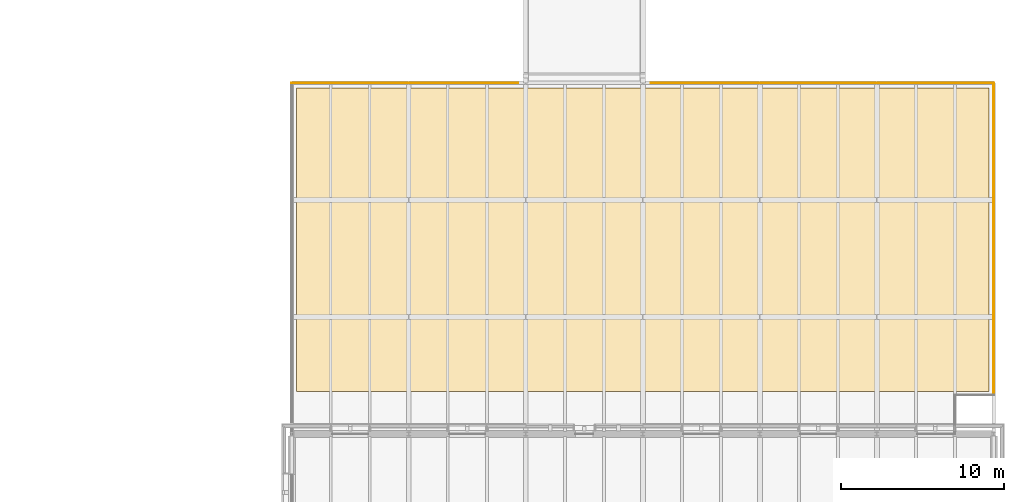
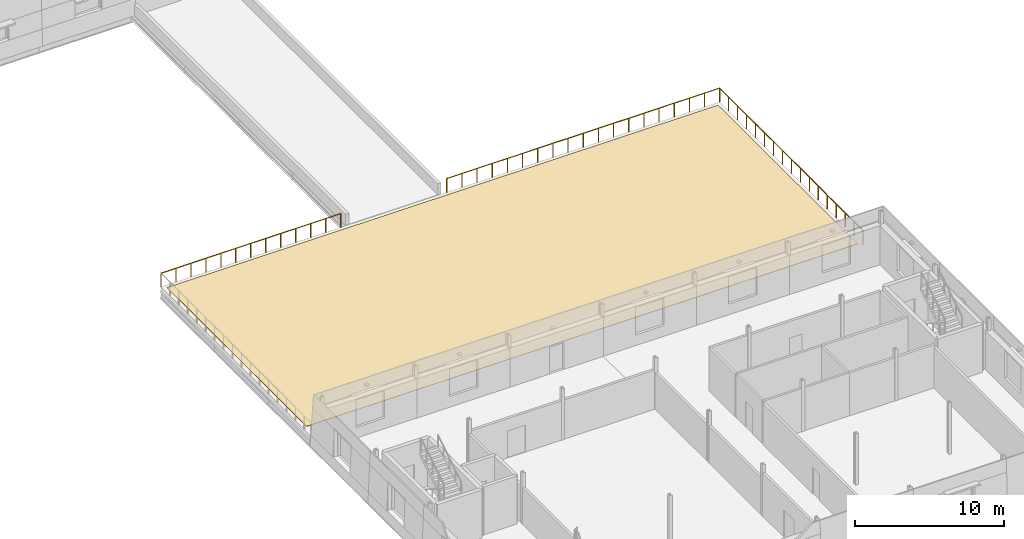
# One storey, part 111 of 115: 3 railings, 1 covering.
"""IFC4 building model written with IfcOpenShell, lengths in metres."""

from ifc_helpers import new_model, si_unit, direction, frame, origin, origin_2d, place, context, subcontext, project, spatial, polyline, circle, outline, extrude, material, layer, layer_set, type_object, element, save


model = new_model("IFC4")

# Units and contexts
model_context = context("Model", 3, precision=1e-05, world=origin(), true_north=direction((0.0, 1.0)))
body_context = subcontext(model_context, "Body", "Model", "MODEL_VIEW")
ifc_project = project(units=[si_unit("LENGTHUNIT", "METRE"), si_unit("AREAUNIT", "SQUARE_METRE"), si_unit("VOLUMEUNIT", "CUBIC_METRE"), si_unit("PLANEANGLEUNIT", "RADIAN"), si_unit("MASSUNIT", "GRAM", prefix="KILO")], contexts=[model_context])

# Site, building, storey
site_placement = place(None, origin())
site = spatial("IfcSite", under=ifc_project, at=site_placement, CompositionType="ELEMENT")
building_placement = place(site_placement, origin())
building = spatial("IfcBuilding", under=site, at=building_placement, Name="Narikvali Park Central Library", CompositionType="ELEMENT")
storey_placement = place(building_placement, frame((0.0, 0.0, 10.199951171875)))
storey = spatial("IfcBuildingStorey", under=building, at=storey_placement, Name="L02", CompositionType="ELEMENT", Elevation=10.199951171875)

# Covering
ifc_material_1 = material(Name="Root-Resistant EPDM Waterproofing Membrane")
ifc_layer_1 = layer(ifc_material_1, 0.02490234375, Name="Root-Resistant EPDM Waterproofing Membrane")
ifc_layer_set_1 = layer_set([ifc_layer_1], Name="Root-Resistant EPDM Waterproofing Membrane")
covering_type = type_object("IfcCoveringType", Name="Planted Roof Waterproofing Membrane", PredefinedType="MEMBRANE", material=ifc_layer_set_1)
covering_placement = place(storey_placement, origin())
element("IfcCovering", 1, at=covering_placement, inside=storey, type_object=covering_type, Name="V6 L02 Terrace EPDM Membrane", PredefinedType="MEMBRANE", context=body_context, shape_type="SweptSolid", body=[
    extrude(outline(polyline([(122.699951171875, 31.39990234375), (165.300048828125, 31.39990234375), (165.300048828125, 50.10009765625), (122.699951171875, 50.10009765625), (122.699951171875, 31.39990234375)])), origin(), (0.0, 0.0, 1.0), 0.025146484375),
])

# Railings
ifc_material_2 = material(Name="Anodised Bronze and White Limestone", Category="masonry")
ifc_layer_2 = layer(ifc_material_2, 0.080078125, Name="Anodised Bronze and White Limestone")
ifc_layer_set_2 = layer_set([ifc_layer_2], Name="Anodised Bronze and White Limestone")
railing_type = type_object("IfcRailingType", Name="Terrace Stone and Bronze Balustrade 1150", PredefinedType="BALUSTRADE", material=ifc_layer_set_2)
railing_1_placement = place(storey_placement, frame((165.60009765625, 31.199951171875, 0.0)))
element("IfcRailing", 2, at=railing_1_placement, inside=storey, type_object=railing_type, Name="V6 L02 Roof Garden Balustrade 4", PredefinedType="BALUSTRADE", context=body_context, shape_type="SweptSolid", body=[
    extrude(circle(Radius=0.02392578125, at=origin_2d()), frame((0.0, 0.0, 1.1259765625), z_axis=(0.0, 1.0, 0.0), x_axis=(-1.0, 0.0, 0.0)), (0.0, 0.0, 1.0), 19.199951171875),
    extrude(circle(Radius=0.02099609375, at=origin_2d()), origin(), (0.0, 0.0, 1.0), 1.101806640625),
    extrude(circle(Radius=0.02099609375, at=origin_2d()), frame((0.0, 1.199951171875, 0.0)), (0.0, 0.0, 1.0), 1.101806640625),
    extrude(circle(Radius=0.02099609375, at=origin_2d()), frame((0.0, 2.39990234375, 0.0)), (0.0, 0.0, 1.0), 1.101806640625),
    extrude(circle(Radius=0.02099609375, at=origin_2d()), frame((0.0, 3.60009765625, 0.0)), (0.0, 0.0, 1.0), 1.101806640625),
    extrude(circle(Radius=0.02099609375, at=origin_2d()), frame((0.0, 4.800048828125, 0.0)), (0.0, 0.0, 1.0), 1.101806640625),
    extrude(circle(Radius=0.02099609375, at=origin_2d()), frame((0.0, 6.0, 0.0)), (0.0, 0.0, 1.0), 1.101806640625),
    extrude(circle(Radius=0.02099609375, at=origin_2d()), frame((0.0, 7.199951171875, 0.0)), (0.0, 0.0, 1.0), 1.101806640625),
    extrude(circle(Radius=0.02099609375, at=origin_2d()), frame((0.0, 8.39990234375, 0.0)), (0.0, 0.0, 1.0), 1.101806640625),
    extrude(circle(Radius=0.02099609375, at=origin_2d()), frame((0.0, 9.60009765625, 0.0)), (0.0, 0.0, 1.0), 1.101806640625),
    extrude(circle(Radius=0.02099609375, at=origin_2d()), frame((0.0, 10.800048828125, 0.0)), (0.0, 0.0, 1.0), 1.101806640625),
    extrude(circle(Radius=0.02099609375, at=origin_2d()), frame((0.0, 12.0, 0.0)), (0.0, 0.0, 1.0), 1.101806640625),
    extrude(circle(Radius=0.02099609375, at=origin_2d()), frame((0.0, 13.199951171875, 0.0)), (0.0, 0.0, 1.0), 1.101806640625),
    extrude(circle(Radius=0.02099609375, at=origin_2d()), frame((0.0, 14.39990234375, 0.0)), (0.0, 0.0, 1.0), 1.101806640625),
    extrude(circle(Radius=0.02099609375, at=origin_2d()), frame((0.0, 15.599853515625, 0.0)), (0.0, 0.0, 1.0), 1.101806640625),
    extrude(circle(Radius=0.02099609375, at=origin_2d()), frame((0.0, 16.800048828125, 0.0)), (0.0, 0.0, 1.0), 1.101806640625),
    extrude(circle(Radius=0.02099609375, at=origin_2d()), frame((0.0, 18.0, 0.0)), (0.0, 0.0, 1.0), 1.101806640625),
    extrude(circle(Radius=0.02099609375, at=origin_2d()), frame((0.0, 19.199951171875, 0.0)), (0.0, 0.0, 1.0), 1.101806640625),
])
railing_2_placement = place(storey_placement, frame((122.39990234375, 50.39990234375, 0.0)))
element("IfcRailing", 3, at=railing_2_placement, inside=storey, type_object=railing_type, Name="V6 L02 Roof Garden Balustrade 5A", PredefinedType="BALUSTRADE", context=body_context, shape_type="SweptSolid", body=[
    extrude(circle(Radius=0.02392578125, at=origin_2d()), frame((0.0, 0.0, 1.1259765625), z_axis=(1.0, 0.0, 0.0), x_axis=(0.0, 1.0, 0.0)), (0.0, 0.0, 1.0), 13.900146484375),
    extrude(circle(Radius=0.02099609375, at=origin_2d()), origin(), (0.0, 0.0, 1.0), 1.101806640625),
    extrude(circle(Radius=0.02099609375, at=origin_2d()), frame((1.158447265625, 0.0, 0.0)), (0.0, 0.0, 1.0), 1.101806640625),
    extrude(circle(Radius=0.02099609375, at=origin_2d()), frame((2.316650390625, 0.0, 0.0)), (0.0, 0.0, 1.0), 1.101806640625),
    extrude(circle(Radius=0.02099609375, at=origin_2d()), frame((3.47509765625, 0.0, 0.0)), (0.0, 0.0, 1.0), 1.101806640625),
    extrude(circle(Radius=0.02099609375, at=origin_2d()), frame((4.63330078125, 0.0, 0.0)), (0.0, 0.0, 1.0), 1.101806640625),
    extrude(circle(Radius=0.02099609375, at=origin_2d()), frame((5.791748046875, 0.0, 0.0)), (0.0, 0.0, 1.0), 1.101806640625),
    extrude(circle(Radius=0.02099609375, at=origin_2d()), frame((6.9501953125, 0.0, 0.0)), (0.0, 0.0, 1.0), 1.101806640625),
    extrude(circle(Radius=0.02099609375, at=origin_2d()), frame((8.1083984375, 0.0, 0.0)), (0.0, 0.0, 1.0), 1.101806640625),
    extrude(circle(Radius=0.02099609375, at=origin_2d()), frame((9.266845703125, 0.0, 0.0)), (0.0, 0.0, 1.0), 1.101806640625),
    extrude(circle(Radius=0.02099609375, at=origin_2d()), frame((10.425048828125, 0.0, 0.0)), (0.0, 0.0, 1.0), 1.101806640625),
    extrude(circle(Radius=0.02099609375, at=origin_2d()), frame((11.58349609375, 0.0, 0.0)), (0.0, 0.0, 1.0), 1.101806640625),
    extrude(circle(Radius=0.02099609375, at=origin_2d()), frame((12.74169921875, 0.0, 0.0)), (0.0, 0.0, 1.0), 1.101806640625),
    extrude(circle(Radius=0.02099609375, at=origin_2d()), frame((13.900146484375, 0.0, 0.0)), (0.0, 0.0, 1.0), 1.101806640625),
])
railing_3_placement = place(storey_placement, frame((144.5, 50.39990234375, 0.0)))
element("IfcRailing", 4, at=railing_3_placement, inside=storey, type_object=railing_type, Name="V6 L02 Roof Garden Balustrade 5B", PredefinedType="BALUSTRADE", context=body_context, shape_type="SweptSolid", body=[
    extrude(circle(Radius=0.02392578125, at=origin_2d()), frame((0.0, 0.0, 1.1259765625), z_axis=(1.0, 0.0, 0.0), x_axis=(0.0, 1.0, 0.0)), (0.0, 0.0, 1.0), 21.10009765625),
    extrude(circle(Radius=0.02099609375, at=origin_2d()), origin(), (0.0, 0.0, 1.0), 1.101806640625),
    extrude(circle(Radius=0.02099609375, at=origin_2d()), frame((1.172119140625, 0.0, 0.0)), (0.0, 0.0, 1.0), 1.101806640625),
    extrude(circle(Radius=0.02099609375, at=origin_2d()), frame((2.344482421875, 0.0, 0.0)), (0.0, 0.0, 1.0), 1.101806640625),
    extrude(circle(Radius=0.02099609375, at=origin_2d()), frame((3.5166015625, 0.0, 0.0)), (0.0, 0.0, 1.0), 1.101806640625),
    extrude(circle(Radius=0.02099609375, at=origin_2d()), frame((4.68896484375, 0.0, 0.0)), (0.0, 0.0, 1.0), 1.101806640625),
    extrude(circle(Radius=0.02099609375, at=origin_2d()), frame((5.861083984375, 0.0, 0.0)), (0.0, 0.0, 1.0), 1.101806640625),
    extrude(circle(Radius=0.02099609375, at=origin_2d()), frame((7.033447265625, 0.0, 0.0)), (0.0, 0.0, 1.0), 1.101806640625),
    extrude(circle(Radius=0.02099609375, at=origin_2d()), frame((8.20556640625, 0.0, 0.0)), (0.0, 0.0, 1.0), 1.101806640625),
    extrude(circle(Radius=0.02099609375, at=origin_2d()), frame((9.3779296875, 0.0, 0.0)), (0.0, 0.0, 1.0), 1.101806640625),
    extrude(circle(Radius=0.02099609375, at=origin_2d()), frame((10.550048828125, 0.0, 0.0)), (0.0, 0.0, 1.0), 1.101806640625),
    extrude(circle(Radius=0.02099609375, at=origin_2d()), frame((11.72216796875, 0.0, 0.0)), (0.0, 0.0, 1.0), 1.101806640625),
    extrude(circle(Radius=0.02099609375, at=origin_2d()), frame((12.89453125, 0.0, 0.0)), (0.0, 0.0, 1.0), 1.101806640625),
    extrude(circle(Radius=0.02099609375, at=origin_2d()), frame((14.066650390625, 0.0, 0.0)), (0.0, 0.0, 1.0), 1.101806640625),
    extrude(circle(Radius=0.02099609375, at=origin_2d()), frame((15.239013671875, 0.0, 0.0)), (0.0, 0.0, 1.0), 1.101806640625),
    extrude(circle(Radius=0.02099609375, at=origin_2d()), frame((16.4111328125, 0.0, 0.0)), (0.0, 0.0, 1.0), 1.101806640625),
    extrude(circle(Radius=0.02099609375, at=origin_2d()), frame((17.58349609375, 0.0, 0.0)), (0.0, 0.0, 1.0), 1.101806640625),
    extrude(circle(Radius=0.02099609375, at=origin_2d()), frame((18.755615234375, 0.0, 0.0)), (0.0, 0.0, 1.0), 1.101806640625),
    extrude(circle(Radius=0.02099609375, at=origin_2d()), frame((19.927978515625, 0.0, 0.0)), (0.0, 0.0, 1.0), 1.101806640625),
    extrude(circle(Radius=0.02099609375, at=origin_2d()), frame((21.10009765625, 0.0, 0.0)), (0.0, 0.0, 1.0), 1.101806640625),
])

save(model, "model.ifc")
